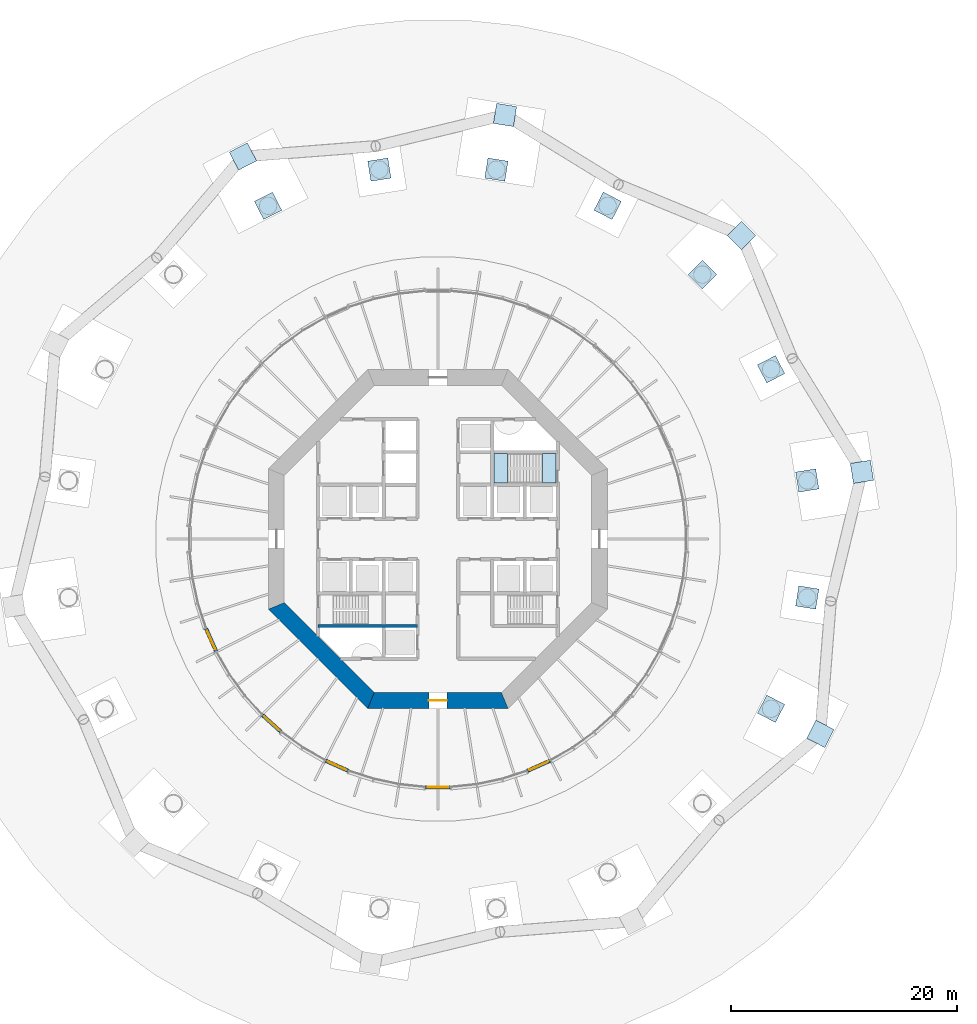
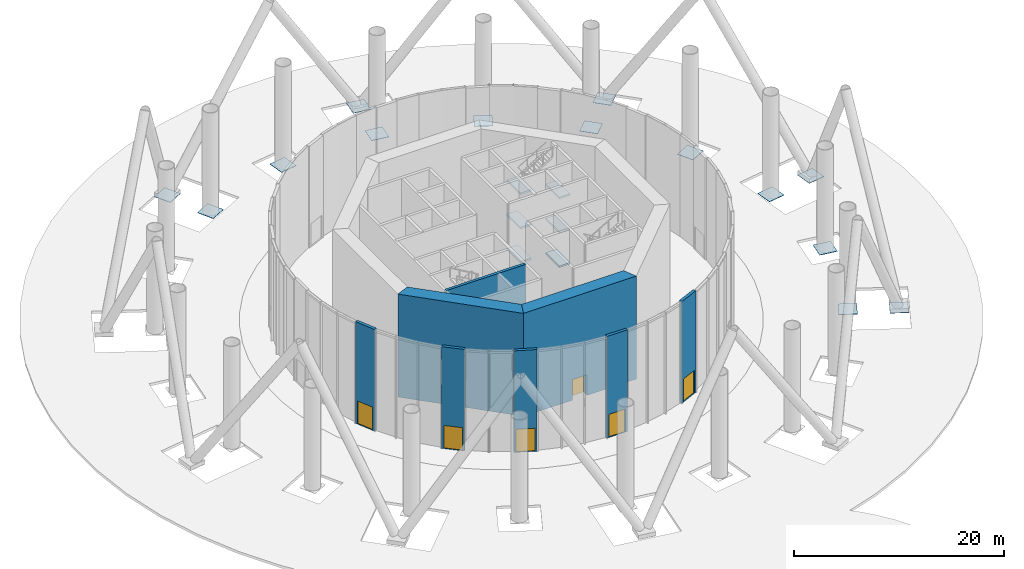
# One storey, part 3 of 12: 14 plates, 8 walls, 6 doors, 6 slabs, 6 openings, 1 element without a shape of its own.
"""IFC4 building model written with IfcOpenShell, lengths in metres."""

from ifc_helpers import new_model, si_unit, direction, frame, frame_2d, origin, origin_2d, place, context, subcontext, project, spatial, polyline, rectangle, outline, extrude, material, layer, layer_set, type_object, element, fill, aggregate, save


model = new_model("IFC4")

# Units and contexts
model_context = context("Model", 3, precision=1e-05, world=origin(), true_north=direction((0.0, 1.0)))
body_context = subcontext(model_context, "Body", "Model", "MODEL_VIEW")
ifc_project = project(units=[si_unit("LENGTHUNIT", "METRE"), si_unit("AREAUNIT", "SQUARE_METRE"), si_unit("VOLUMEUNIT", "CUBIC_METRE"), si_unit("PLANEANGLEUNIT", "RADIAN"), si_unit("MASSUNIT", "GRAM", prefix="KILO")], contexts=[model_context])

# Site, building, storey
site_placement = place(None, origin())
site = spatial("IfcSite", under=ifc_project, at=site_placement, CompositionType="ELEMENT")
building_placement = place(site_placement, origin())
building = spatial("IfcBuilding", under=site, at=building_placement, Name="Entoto Ring Tower", CompositionType="ELEMENT")
storey_placement = place(building_placement, origin())
storey = spatial("IfcBuildingStorey", under=building, at=storey_placement, Name="L00", CompositionType="ELEMENT", Elevation=0.0)

# Plates
ifc_material_1 = material(Name="Steel S355", Category="steel")
ifc_layer_1 = layer(ifc_material_1, 0.0400390625)
ifc_layer_set_1 = layer_set([ifc_layer_1], Name="Steel S355")
plate_type = type_object("IfcPlateType", Name="Base plate 1800 x 1800 x 40 mm", PredefinedType="USERDEFINED", material=ifc_layer_set_1)
for number, where, z_axis, x_axis, name in (
    (1, (122.6923828125, 85.177978515625, 0.0), (0.0, 0.0, 1.0), (0.987688340595, 0.15643446504, 0.0), "BASE PLATE R01"),
    (2, (119.492431640625, 95.027099609375, 0.0), (0.0, 0.0, 1.0), (0.891006524188, 0.45399049974, 0.0), "BASE PLATE R02"),
    (3, (113.4052734375, 103.4052734375, 0.0), (0.0, 0.0, 1.0), (0.707106781187, 0.707106781187, 0.0), "BASE PLATE R03"),
    (4, (105.027099609375, 109.492431640625, 0.0), (0.0, 0.0, 1.0), (0.45399049974, 0.891006524188, 0.0), "BASE PLATE R04"),
    (5, (95.177978515625, 112.6923828125, 0.0), (0.0, 0.0, 1.0), (0.15643446504, 0.987688340595, 0.0), "BASE PLATE R05"),
    (6, (84.822021484375, 112.6923828125, 0.0), (0.0, 0.0, 1.0), (-0.15643446504, 0.987688340595, 0.0), "BASE PLATE R06"),
    (7, (74.972900390625, 109.492431640625, 0.0), (0.0, 0.0, 1.0), (-0.45399049974, 0.891006524188, 0.0), "BASE PLATE R07"),
    (8, (119.492431640625, 64.972900390625, 0.0), (0.0, 0.0, 1.0), (0.891006524188, -0.45399049974, 0.0), "BASE PLATE R19"),
    (9, (122.6923828125, 74.822021484375, 0.0), (0.0, 0.0, 1.0), (0.987688340595, -0.15643446504, 0.0), "BASE PLATE R20"),
    (10, (127.5322265625, 85.944580078125, 0.0), (0.0, 0.0, 1.0), (0.987688340595, 0.15643446504, 0.0), "BASE PLATE LEG 01"),
    (11, (116.8701171875, 106.8701171875, 0.0), (0.0, 0.0, 1.0), (0.707106781187, 0.707106781187, 0.0), "BASE PLATE LEG 02"),
    (12, (95.944580078125, 117.5322265625, 0.0), (0.0, 0.0, 1.0), (0.15643446504, 0.987688340595, 0.0), "BASE PLATE LEG 03"),
    (13, (72.748291015625, 113.858154296875, 0.0), (0.0, 0.0, 1.0), (-0.45399049974, 0.891006524188, 0.0), "BASE PLATE LEG 04"),
    (14, (123.858154296875, 62.748291015625, 0.0), (0.0, 0.0, 1.0), (0.891006524188, -0.45399049974, 0.0), "BASE PLATE LEG 10"),
):
    element("IfcPlate", number, at=place(storey_placement, frame(where, z_axis=z_axis, x_axis=x_axis)), inside=storey, type_object=plate_type, Name=name, ObjectType="BASE_PLATE", PredefinedType="USERDEFINED", context=body_context, shape_type="SweptSolid", body=[
        extrude(rectangle(XDim=1.800048828125, YDim=1.800048828125, at=origin_2d()), origin(), (0.0, 0.0, 1.0), 0.0400390625),
    ])

# Stair, slabs
ifc_material_2 = material(Name="Concrete C40/50", Category="concrete")
stair_type = type_object("IfcStairType", Name="Exit stair 1200 mm dog-leg reinforced concrete", PredefinedType="HALF_TURN_STAIR", material=ifc_material_2)
stair_placement = place(storey_placement, origin())
stair = element("IfcStair", 15, at=stair_placement, inside=storey, type_object=stair_type, Name="Exit stair 1", PredefinedType="HALF_TURN_STAIR")
ifc_material_3 = material(Name="Concrete C40/50", Category="concrete")
ifc_layer_2 = layer(ifc_material_3, 0.199951171875)
ifc_layer_set_2 = layer_set([ifc_layer_2], Name="Concrete C40/50")
slab_type = type_object("IfcSlabType", Name="Stair landing 200 mm reinforced concrete", PredefinedType="LANDING", material=ifc_layer_set_2)
slab_1_placement = place(storey_placement, frame((0.0, 0.0, -0.199951171875)))
slab_1 = element("IfcSlab", 16, at=slab_1_placement, type_object=slab_type, Name="ST1 landing 1", PredefinedType="LANDING", context=body_context, shape_type="SweptSolid", body=[
    extrude(outline(polyline([(100.449951171875, 84.949951171875), (100.449951171875, 87.550048828125), (99.25, 87.550048828125), (99.25, 84.949951171875), (100.449951171875, 84.949951171875)])), origin(), (0.0, 0.0, 1.0), 0.199951171875),
])
slab_2_placement = place(storey_placement, frame((0.0, 0.0, 1.800048828125)))
slab_2 = element("IfcSlab", 17, at=slab_2_placement, type_object=slab_type, Name="ST1 landing 2", PredefinedType="LANDING", context=body_context, shape_type="SweptSolid", body=[
    extrude(outline(polyline([(94.949951171875, 84.949951171875), (96.169921875, 84.949951171875), (96.169921875, 87.550048828125), (94.949951171875, 87.550048828125), (94.949951171875, 84.949951171875)])), origin(), (0.0, 0.0, 1.0), 0.199951171875),
])
slab_3_placement = place(storey_placement, frame((0.0, 0.0, 3.800048828125)))
slab_3 = element("IfcSlab", 18, at=slab_3_placement, type_object=slab_type, Name="ST1 landing 3", PredefinedType="LANDING", context=body_context, shape_type="SweptSolid", body=[
    extrude(outline(polyline([(99.25, 84.949951171875), (100.449951171875, 84.949951171875), (100.449951171875, 87.550048828125), (99.25, 87.550048828125), (99.25, 84.949951171875)])), origin(), (0.0, 0.0, 1.0), 0.199951171875),
])
slab_4_placement = place(storey_placement, frame((0.0, 0.0, 5.800048828125)))
slab_4 = element("IfcSlab", 19, at=slab_4_placement, type_object=slab_type, Name="ST1 landing 4", PredefinedType="LANDING", context=body_context, shape_type="SweptSolid", body=[
    extrude(outline(polyline([(94.949951171875, 84.949951171875), (96.169921875, 84.949951171875), (96.169921875, 87.550048828125), (94.949951171875, 87.550048828125), (94.949951171875, 84.949951171875)])), origin(), (0.0, 0.0, 1.0), 0.199951171875),
])
slab_5_placement = place(storey_placement, frame((0.0, 0.0, 7.800048828125)))
slab_5 = element("IfcSlab", 20, at=slab_5_placement, type_object=slab_type, Name="ST1 landing 5", PredefinedType="LANDING", context=body_context, shape_type="SweptSolid", body=[
    extrude(outline(polyline([(99.25, 84.949951171875), (100.449951171875, 84.949951171875), (100.449951171875, 87.550048828125), (99.25, 87.550048828125), (99.25, 84.949951171875)])), origin(), (0.0, 0.0, 1.0), 0.199951171875),
])
slab_6_placement = place(storey_placement, frame((0.0, 0.0, 9.800048828125)))
slab_6 = element("IfcSlab", 21, at=slab_6_placement, type_object=slab_type, Name="ST1 landing 6", PredefinedType="LANDING", context=body_context, shape_type="SweptSolid", body=[
    extrude(outline(polyline([(94.949951171875, 84.949951171875), (96.169921875, 84.949951171875), (96.169921875, 87.550048828125), (94.949951171875, 87.550048828125), (94.949951171875, 84.949951171875)])), origin(), (0.0, 0.0, 1.0), 0.199951171875),
])
aggregate(stair, [slab_1, slab_2, slab_3, slab_4, slab_5, slab_6])

# Walls
ifc_material_4 = material(Name="Concrete C40/50", Category="concrete")
ifc_layer_3 = layer(ifc_material_4, 0.300048828125)
ifc_layer_set_3 = layer_set([ifc_layer_3], Name="Concrete C40/50")
wall_type_1 = type_object("IfcWallType", Name="Core enclosure wall 300 mm reinforced concrete", PredefinedType="SOLIDWALL", material=ifc_layer_set_3)
wall_1_placement = place(storey_placement, frame((79.39990234375, 72.300048828125, 0.0), z_axis=(0.0, 0.0, 1.0), x_axis=(1.0, 0.0, 0.0)))
element("IfcWall", 22, at=wall_1_placement, inside=storey, type_object=wall_type_1, Name="wall-L00-017", PredefinedType="SOLIDWALL", context=body_context, shape_type="SweptSolid", body=[
    extrude(rectangle(XDim=8.800048828125, YDim=0.300048828125, at=frame_2d((4.39990234375, 0.0))), origin(), (0.0, 0.0, 1.0), 11.85009765625),
])
ifc_material_5 = material(Name="Concrete C60/75", Category="concrete")
ifc_layer_4 = layer(ifc_material_5, 1.39990234375)
ifc_layer_set_4 = layer_set([ifc_layer_4], Name="Concrete C60/75")
wall_type_2 = type_object("IfcWallType", Name="Core shear wall 1400 mm reinforced concrete C60/75", PredefinedType="SHEAR", material=ifc_layer_set_4)
wall_2_placement = place(storey_placement, frame((75.699951171875, 74.07666015625, 0.0), z_axis=(0.0, 0.0, 1.0), x_axis=(0.707106781187, -0.707106781187, 0.0)))
element("IfcWall", 23, at=wall_2_placement, inside=storey, type_object=wall_type_2, Name="wall-L00-core-5", PredefinedType="SHEAR", context=body_context, shape_type="SweptSolid", body=[
    extrude(outline(polyline([(-0.2900390625, -0.699951171875), (12.136474609375, -0.699951171875), (11.556396484375, 0.699951171875), (0.2900390625, 0.699951171875), (-0.2900390625, -0.699951171875)])), origin(), (0.0, 0.0, 1.0), 12.0),
])

# Wall, opening, door
wall_3_placement = place(storey_placement, frame((84.07666015625, 65.699951171875, 0.0), z_axis=(0.0, 0.0, 1.0), x_axis=(1.0, 0.0, 0.0)))
wall_3 = element("IfcWall", 24, at=wall_3_placement, inside=storey, type_object=wall_type_2, Name="wall-L00-core-6", PredefinedType="SHEAR", context=body_context, shape_type="SweptSolid", body=[
    extrude(outline(polyline([(-0.2900390625, -0.699951171875), (12.13671875, -0.699951171875), (11.556640625, 0.699951171875), (0.2900390625, 0.699951171875), (-0.2900390625, -0.699951171875)])), origin(), (0.0, 0.0, 1.0), 12.0),
])
opening_1_placement = place(wall_3_placement, frame((5.123291015625, 0.0, 0.0)))
opening_1 = element("IfcOpeningElement", 25, at=opening_1_placement, cuts=wall_3, Name="Opening K-04", PredefinedType="OPENING", context=body_context, shape_type="SweptSolid", body=[
    extrude(rectangle(XDim=1.60009765625, YDim=2.39990234375, at=frame_2d((0.800048828125, 1.199951171875))), frame((0.0, 0.7099609375, 0.0), z_axis=(0.0, -1.0, 0.0), x_axis=(1.0, 0.0, 0.0)), (0.0, 0.0, 1.0), 1.419921875),
])
ifc_material_6 = material(Name="Steel door leaf, fire rated", Category="steel")
ifc_layer_5 = layer(ifc_material_6, 0.050048828125)
ifc_layer_set_5 = layer_set([ifc_layer_5], Name="Steel door leaf, fire rated")
door_type_1 = type_object("IfcDoorType", Name="Entrance door FD60 1600 x 2400 double leaf", OperationType="DOUBLE_DOOR_SINGLE_SWING", PredefinedType="DOOR", material=ifc_layer_set_5)
door_1_placement = place(opening_1_placement, origin())
door_1 = element("IfcDoor", 26, at=door_1_placement, inside=storey, type_object=door_type_1, Name="Entrance door K-04", OperationType="DOUBLE_DOOR_SINGLE_SWING", OverallHeight=2.39990234375, OverallWidth=1.60009765625, PredefinedType="DOOR", context=body_context, shape_type="SweptSolid", body=[
    extrude(rectangle(XDim=1.60009765625, YDim=2.39990234375, at=frame_2d((0.800048828125, 1.199951171875))), frame((0.0, 0.02490234375, 0.0), z_axis=(0.0, -1.0, 0.0), x_axis=(1.0, 0.0, 0.0)), (0.0, 0.0, 1.0), 0.050048828125),
])
fill(opening_1, door_1)

ifc_material_7 = material(Name="Trachyte stone cladding", Category="masonry")
ifc_layer_6 = layer(ifc_material_7, 0.06005859375)
ifc_material_8 = material(Name="Concrete C40/50", Category="concrete")
ifc_layer_7 = layer(ifc_material_8, 0.260009765625)
ifc_layer_set_6 = layer_set([ifc_layer_6, ifc_layer_7], Name="Trachyte stone cladding")
wall_type_3 = type_object("IfcWallType", Name="Entrance pier 320 mm trachyte-clad", PredefinedType="STANDARD", material=ifc_layer_set_6)
wall_4_placement = place(storey_placement, frame((69.4775390625, 72.079345703125, 0.0), z_axis=(0.0, 0.0, 1.0), x_axis=(0.406739670382, -0.913544109793, 0.0)))
wall_4 = element("IfcWall", 27, at=wall_4_placement, inside=storey, type_object=wall_type_3, Name="ENTRANCE PIER 9", PredefinedType="STANDARD", context=body_context, shape_type="SweptSolid", body=[
    extrude(rectangle(XDim=2.22265625, YDim=0.320068359375, at=frame_2d((1.111328125, 0.0))), origin(), (0.0, 0.0, 1.0), 11.85009765625),
])
opening_2_placement = place(wall_4_placement, frame((0.21142578125, 0.0, 0.0)))
opening_2 = element("IfcOpeningElement", 28, at=opening_2_placement, cuts=wall_4, Name="Opening E9", PredefinedType="OPENING", context=body_context, shape_type="SweptSolid", body=[
    extrude(rectangle(XDim=1.800048828125, YDim=2.699951171875, at=frame_2d((0.89990234375, 1.35009765625))), frame((0.0, 0.169921875, 0.0), z_axis=(0.0, -1.0, 0.0), x_axis=(1.0, 0.0, 0.0)), (0.0, 0.0, 1.0), 0.340087890625),
])
ifc_material_9 = material(Name="Anodised aluminium frame with toughened clear glass", Category="aluminium")
door_type_2 = type_object("IfcDoorType", Name="Entrance door set 1800 x 2700 mm sliding", OperationType="DOUBLE_DOOR_SLIDING", PredefinedType="DOOR", material=ifc_material_9)
door_2_placement = place(opening_2_placement, frame((1.800048828125, 0.0, 0.0), z_axis=(0.0, 0.0, 1.0), x_axis=(-1.0, 0.0, 0.0)))
door_2 = element("IfcDoor", 29, at=door_2_placement, inside=storey, type_object=door_type_2, Name="ENTRANCE DOOR 9", OperationType="DOUBLE_DOOR_SLIDING", OverallHeight=2.699951171875, OverallWidth=1.800048828125, PredefinedType="DOOR", context=body_context, shape_type="SweptSolid", body=[
    extrude(rectangle(XDim=1.800048828125, YDim=2.699951171875, at=frame_2d((0.89990234375, 1.35009765625))), frame((0.0, 0.02490234375, 0.0), z_axis=(0.0, -1.0, 0.0), x_axis=(1.0, 0.0, 0.0)), (0.0, 0.0, 1.0), 0.050048828125),
])
fill(opening_2, door_2)

wall_5_placement = place(storey_placement, frame((74.473388671875, 64.4169921875, 0.0), z_axis=(0.0, 0.0, 1.0), x_axis=(0.743097515625, -0.669183145537, 0.0)))
wall_5 = element("IfcWall", 30, at=wall_5_placement, inside=storey, type_object=wall_type_3, Name="ENTRANCE PIER 10", PredefinedType="STANDARD", context=body_context, shape_type="SweptSolid", body=[
    extrude(rectangle(XDim=2.222900390625, YDim=0.320068359375, at=frame_2d((1.111328125, 0.0))), origin(), (0.0, 0.0, 1.0), 11.85009765625),
])
opening_3_placement = place(wall_5_placement, frame((0.21142578125, 0.0, 0.0)))
opening_3 = element("IfcOpeningElement", 31, at=opening_3_placement, cuts=wall_5, Name="Opening E10", PredefinedType="OPENING", context=body_context, shape_type="SweptSolid", body=[
    extrude(rectangle(XDim=1.800048828125, YDim=2.699951171875, at=frame_2d((0.89990234375, 1.35009765625))), frame((0.0, 0.169921875, 0.0), z_axis=(0.0, -1.0, 0.0), x_axis=(1.0, 0.0, 0.0)), (0.0, 0.0, 1.0), 0.340087890625),
])
door_3_placement = place(opening_3_placement, frame((1.800048828125, 0.0, 0.0), z_axis=(0.0, 0.0, 1.0), x_axis=(-1.0, 0.0, 0.0)))
door_3 = element("IfcDoor", 32, at=door_3_placement, inside=storey, type_object=door_type_2, Name="ENTRANCE DOOR 10", OperationType="DOUBLE_DOOR_SLIDING", OverallHeight=2.699951171875, OverallWidth=1.800048828125, PredefinedType="DOOR", context=body_context, shape_type="SweptSolid", body=[
    extrude(rectangle(XDim=1.800048828125, YDim=2.699951171875, at=frame_2d((0.89990234375, 1.35009765625))), frame((0.0, 0.02490234375, 0.0), z_axis=(0.0, -1.0, 0.0), x_axis=(1.0, 0.0, 0.0)), (0.0, 0.0, 1.0), 0.050048828125),
])
fill(opening_3, door_3)

wall_6_placement = place(storey_placement, frame((80.048828125, 60.381591796875, 0.0), z_axis=(0.0, 0.0, 1.0), x_axis=(0.913544109793, -0.406739670382, 0.0)))
wall_6 = element("IfcWall", 33, at=wall_6_placement, inside=storey, type_object=wall_type_3, Name="ENTRANCE PIER 11", PredefinedType="STANDARD", context=body_context, shape_type="SweptSolid", body=[
    extrude(rectangle(XDim=2.22265625, YDim=0.320068359375, at=frame_2d((1.111328125, 0.0))), origin(), (0.0, 0.0, 1.0), 11.85009765625),
])
opening_4_placement = place(wall_6_placement, frame((0.21142578125, 0.0, 0.0)))
opening_4 = element("IfcOpeningElement", 34, at=opening_4_placement, cuts=wall_6, Name="Opening E11", PredefinedType="OPENING", context=body_context, shape_type="SweptSolid", body=[
    extrude(rectangle(XDim=1.800048828125, YDim=2.699951171875, at=frame_2d((0.89990234375, 1.35009765625))), frame((0.0, 0.169921875, 0.0), z_axis=(0.0, -1.0, 0.0), x_axis=(1.0, 0.0, 0.0)), (0.0, 0.0, 1.0), 0.340087890625),
])
door_4_placement = place(opening_4_placement, frame((1.800048828125, 0.0, 0.0), z_axis=(0.0, 0.0, 1.0), x_axis=(-1.0, 0.0, 0.0)))
door_4 = element("IfcDoor", 35, at=door_4_placement, inside=storey, type_object=door_type_2, Name="ENTRANCE DOOR 11", OperationType="DOUBLE_DOOR_SLIDING", OverallHeight=2.699951171875, OverallWidth=1.800048828125, PredefinedType="DOOR", context=body_context, shape_type="SweptSolid", body=[
    extrude(rectangle(XDim=1.800048828125, YDim=2.699951171875, at=frame_2d((0.89990234375, 1.35009765625))), frame((0.0, 0.02490234375, 0.0), z_axis=(0.0, -1.0, 0.0), x_axis=(1.0, 0.0, 0.0)), (0.0, 0.0, 1.0), 0.050048828125),
])
fill(opening_4, door_4)

wall_7_placement = place(storey_placement, frame((88.888671875, 58.030029296875, 0.0), z_axis=(0.0, 0.0, 1.0), x_axis=(1.0, 0.0, 0.0)))
wall_7 = element("IfcWall", 36, at=wall_7_placement, inside=storey, type_object=wall_type_3, Name="ENTRANCE PIER 12", PredefinedType="STANDARD", context=body_context, shape_type="SweptSolid", body=[
    extrude(rectangle(XDim=2.22265625, YDim=0.320068359375, at=frame_2d((1.111328125, 0.0))), origin(), (0.0, 0.0, 1.0), 11.85009765625),
])
opening_5_placement = place(wall_7_placement, frame((0.21142578125, 0.0, 0.0)))
opening_5 = element("IfcOpeningElement", 37, at=opening_5_placement, cuts=wall_7, Name="Opening E12", PredefinedType="OPENING", context=body_context, shape_type="SweptSolid", body=[
    extrude(rectangle(XDim=1.800048828125, YDim=2.699951171875, at=frame_2d((0.89990234375, 1.35009765625))), frame((0.0, 0.169921875, 0.0), z_axis=(0.0, -1.0, 0.0), x_axis=(1.0, 0.0, 0.0)), (0.0, 0.0, 1.0), 0.340087890625),
])
door_5_placement = place(opening_5_placement, frame((1.800048828125, 0.0, 0.0), z_axis=(0.0, 0.0, 1.0), x_axis=(-1.0, 0.0, 0.0)))
door_5 = element("IfcDoor", 38, at=door_5_placement, inside=storey, type_object=door_type_2, Name="ENTRANCE DOOR 12", OperationType="DOUBLE_DOOR_SLIDING", OverallHeight=2.699951171875, OverallWidth=1.800048828125, PredefinedType="DOOR", context=body_context, shape_type="SweptSolid", body=[
    extrude(rectangle(XDim=1.800048828125, YDim=2.699951171875, at=frame_2d((0.89990234375, 1.35009765625))), frame((0.0, 0.02490234375, 0.0), z_axis=(0.0, -1.0, 0.0), x_axis=(1.0, 0.0, 0.0)), (0.0, 0.0, 1.0), 0.050048828125),
])
fill(opening_5, door_5)

wall_8_placement = place(storey_placement, frame((97.920654296875, 59.4775390625, 0.0), z_axis=(0.0, 0.0, 1.0), x_axis=(0.913544109793, 0.406739670382, 0.0)))
wall_8 = element("IfcWall", 39, at=wall_8_placement, inside=storey, type_object=wall_type_3, Name="ENTRANCE PIER 13", PredefinedType="STANDARD", context=body_context, shape_type="SweptSolid", body=[
    extrude(rectangle(XDim=2.22265625, YDim=0.320068359375, at=frame_2d((1.111328125, 0.0))), origin(), (0.0, 0.0, 1.0), 11.85009765625),
])
opening_6_placement = place(wall_8_placement, frame((0.21142578125, 0.0, 0.0)))
opening_6 = element("IfcOpeningElement", 40, at=opening_6_placement, cuts=wall_8, Name="Opening E13", PredefinedType="OPENING", context=body_context, shape_type="SweptSolid", body=[
    extrude(rectangle(XDim=1.800048828125, YDim=2.699951171875, at=frame_2d((0.89990234375, 1.35009765625))), frame((0.0, 0.169921875, 0.0), z_axis=(0.0, -1.0, 0.0), x_axis=(1.0, 0.0, 0.0)), (0.0, 0.0, 1.0), 0.340087890625),
])
door_6_placement = place(opening_6_placement, frame((1.800048828125, 0.0, 0.0), z_axis=(0.0, 0.0, 1.0), x_axis=(-1.0, 0.0, 0.0)))
door_6 = element("IfcDoor", 41, at=door_6_placement, inside=storey, type_object=door_type_2, Name="ENTRANCE DOOR 13", OperationType="DOUBLE_DOOR_SLIDING", OverallHeight=2.699951171875, OverallWidth=1.800048828125, PredefinedType="DOOR", context=body_context, shape_type="SweptSolid", body=[
    extrude(rectangle(XDim=1.800048828125, YDim=2.699951171875, at=frame_2d((0.89990234375, 1.35009765625))), frame((0.0, 0.02490234375, 0.0), z_axis=(0.0, -1.0, 0.0), x_axis=(1.0, 0.0, 0.0)), (0.0, 0.0, 1.0), 0.050048828125),
])
fill(opening_6, door_6)

save(model, "model.ifc")
